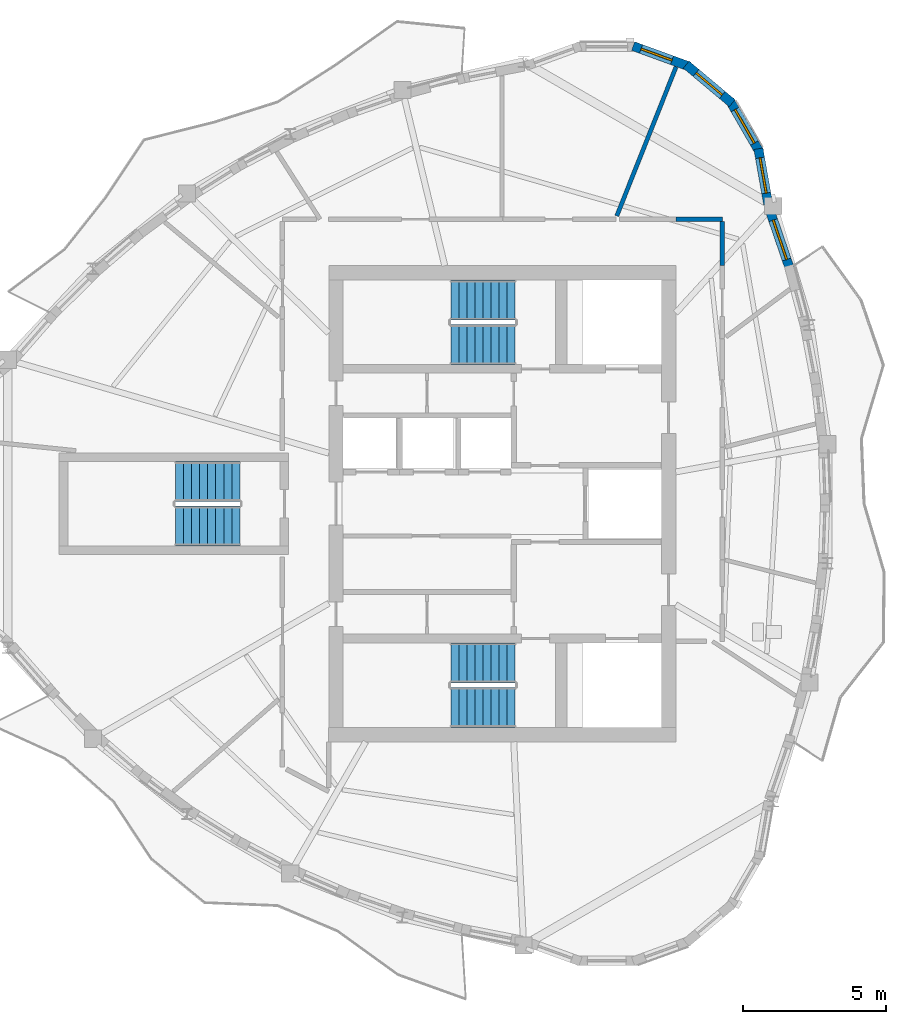
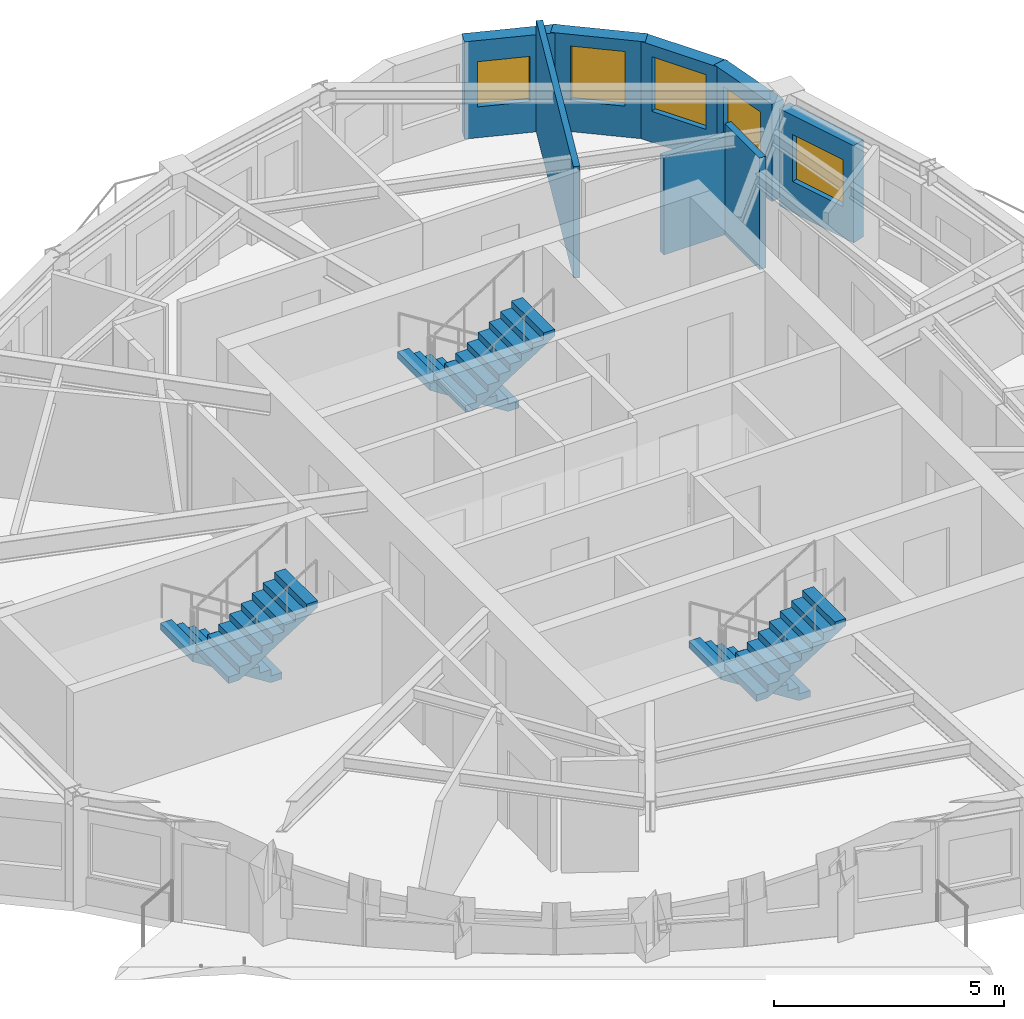
# One storey, part 7 of 11: 8 walls, 6 stair flights, 5 windows, 5 openings, 3 elements without a shape of their own.
"""IFC4 building model written with IfcOpenShell, lengths in metres."""

from ifc_helpers import new_model, si_unit, direction, frame, frame_2d, origin, place, context, subcontext, project, spatial, polyline, rectangle, outline, extrude, source, transform, mapped, material, layer, layer_set, type_object, element, fill, aggregate, save


model = new_model("IFC4")

# Units and contexts
model_context = context("Model", 3, precision=1e-05, world=origin(), true_north=direction((0.0, 1.0)))
body_context = subcontext(model_context, "Body", "Model", "MODEL_VIEW")
ifc_project = project(units=[si_unit("LENGTHUNIT", "METRE"), si_unit("AREAUNIT", "SQUARE_METRE"), si_unit("VOLUMEUNIT", "CUBIC_METRE"), si_unit("PLANEANGLEUNIT", "RADIAN"), si_unit("MASSUNIT", "GRAM", prefix="KILO")], contexts=[model_context])

# Site, building, storey
site_placement = place(None, origin())
site = spatial("IfcSite", under=ifc_project, at=site_placement, CompositionType="ELEMENT")
building_placement = place(site_placement, origin())
building = spatial("IfcBuilding", under=site, at=building_placement, Name="Qafzar Sky-Pleat Residences", CompositionType="ELEMENT")
storey_placement = place(building_placement, frame((0.0, 0.0, 234.0)))
storey = spatial("IfcBuildingStorey", under=building, at=storey_placement, Name="L70", CompositionType="ELEMENT", Elevation=234.0)

# Walls
ifc_material_1 = material(Name="Acoustic gypsum plasterboard partition", Category="gypsum")
ifc_layer_1 = layer(ifc_material_1, 0.159912109375)
ifc_layer_set_1 = layer_set([ifc_layer_1], Name="Acoustic gypsum plasterboard partition")
wall_type_1 = type_object("IfcWallType", Name="PART-COR-160", PredefinedType="PARTITIONING", material=ifc_layer_set_1)
wall_1_placement = place(storey_placement, frame((36.4150390625, 35.919921875, 0.0), z_axis=(0.0, 0.0, 1.0), x_axis=(1.0, 0.0, 0.0)))
element("IfcWall", 1, at=wall_1_placement, inside=storey, type_object=wall_type_1, Name="L70 Partition Wall PART-L70-PW-024", PredefinedType="PARTITIONING", context=body_context, shape_type="SweptSolid", body=[
    extrude(rectangle(XDim=1.60498046875, YDim=0.159912109375, at=frame_2d((0.802490234375, 0.0))), origin(), (0.0, 0.0, 1.0), 2.597900390625),
])
wall_2_placement = place(storey_placement, frame((38.02001953125, 34.31494140625, 0.0), z_axis=(0.0, 0.0, 1.0), x_axis=(0.0, 1.0, 0.0)))
element("IfcWall", 2, at=wall_2_placement, inside=storey, type_object=wall_type_1, Name="L70 Partition Wall PART-L70-PW-025", PredefinedType="PARTITIONING", context=body_context, shape_type="SweptSolid", body=[
    extrude(rectangle(XDim=1.51708984375, YDim=0.159912109375, at=frame_2d((0.758544921875, 0.0))), origin(), (0.0, 0.0, 1.0), 2.9599609375),
])
ifc_layer_2 = layer(ifc_material_1, 0.14501953125)
ifc_layer_set_2 = layer_set([ifc_layer_2], Name="Acoustic gypsum plasterboard partition")
wall_type_2 = type_object("IfcWallType", Name="PART-UNIT-145", PredefinedType="PARTITIONING", material=ifc_layer_set_2)
wall_3_placement = place(storey_placement, frame((34.342529296875, 36.0341796875, 0.0), z_axis=(0.0, 0.0, 1.0), x_axis=(0.369712016487, 0.92914639582, 0.0)))
element("IfcWall", 3, at=wall_3_placement, inside=storey, type_object=wall_type_2, Name="L70 Partition Wall PART-L70-PW-011", PredefinedType="PARTITIONING", context=body_context, shape_type="SweptSolid", body=[
    extrude(rectangle(XDim=5.59375, YDim=0.14501953125, at=frame_2d((2.796875, 0.0))), origin(), (0.0, 0.0, 1.0), 2.9599609375),
])

# Wall, opening, window
ifc_material_2 = material(Name="Precast concrete C40/50 with honed Riyadh limestone", Category="concrete")
ifc_layer_3 = layer(ifc_material_2, 0.320068359375)
ifc_layer_set_3 = layer_set([ifc_layer_3], Name="Precast concrete C40/50 with honed Riyadh limestone")
wall_type_3 = type_object("IfcWallType", Name="WALL-EXT-320", PredefinedType="SOLIDWALL", material=ifc_layer_set_3)
wall_4_placement = place(storey_placement, frame((40.3662109375, 34.21923828125, 0.0), z_axis=(0.0, 0.0, 1.0), x_axis=(-0.32370378462, 0.946158475004, 0.0)))
wall_4 = element("IfcWall", 4, at=wall_4_placement, inside=storey, type_object=wall_type_3, Name="L70 Limestone Facade Wall 32", PredefinedType="SOLIDWALL", context=body_context, shape_type="SweptSolid", body=[
    extrude(rectangle(XDim=2.142822265625, YDim=0.320068359375, at=frame_2d((1.0712890625, 0.0))), origin(), (0.0, 0.0, 1.0), 2.580078125),
])
opening_1_placement = place(wall_4_placement, frame((0.311279296875, 0.0, 0.820068359375)))
opening_1 = element("IfcOpeningElement", 5, at=opening_1_placement, cuts=wall_4, Name="Opening WN-15", PredefinedType="OPENING", context=body_context, shape_type="SweptSolid", body=[
    extrude(rectangle(XDim=1.449951171875, YDim=1.25, at=frame_2d((0.72509765625, 0.625))), frame((0.0, 0.169921875, 0.0), z_axis=(0.0, -1.0, 0.0), x_axis=(1.0, 0.0, 0.0)), (0.0, 0.0, 1.0), 0.340087890625),
])
ifc_material_3 = material(Name="Solar-control low-E glass in bronze aluminium frame", Category="glass")
window_type_1 = type_object("IfcWindowType", Name="WIN-15", PartitioningType="SINGLE_PANEL", PredefinedType="WINDOW", material=ifc_material_3)
shared_shape_1 = source(origin(), body_context, "Body", "SweptSolid", [
    extrude(rectangle(XDim=1.449951171875, YDim=1.25, at=frame_2d((0.72509765625, 0.625))), frame((0.0, 0.030029296875, 0.0), z_axis=(0.0, -1.0, 0.0), x_axis=(1.0, 0.0, 0.0)), (0.0, 0.0, 1.0), 0.06005859375),
])
window_1_placement = place(opening_1_placement, origin())
window_1 = element("IfcWindow", 6, at=window_1_placement, inside=storey, type_object=window_type_1, Name="L70 Punched Facade Window 32", OverallHeight=1.25, OverallWidth=1.449951171875, PartitioningType="SINGLE_PANEL", PredefinedType="WINDOW", context=body_context, shape_type="MappedRepresentation", body=[
    mapped(shared_shape_1, transform((0.0, 0.0, 0.0), x_axis=(1.0, 0.0, 0.0), y_axis=(0.0, 1.0, 0.0), z_axis=(0.0, 0.0, 1.0), scale=1.0)),
])
fill(opening_1, window_1)

wall_5_placement = place(storey_placement, frame((39.621826171875, 36.4443359375, 0.0), z_axis=(0.0, 0.0, 1.0), x_axis=(-0.173671780312, 0.984803590937, 0.0)))
wall_5 = element("IfcWall", 7, at=wall_5_placement, inside=storey, type_object=wall_type_3, Name="L70 Limestone Facade Wall 33", PredefinedType="SOLIDWALL", context=body_context, shape_type="SweptSolid", body=[
    extrude(rectangle(XDim=1.96240234375, YDim=0.320068359375, at=frame_2d((0.981201171875, 0.0))), origin(), (0.0, 0.0, 1.0), 2.580078125),
])
opening_2_placement = place(wall_5_placement, frame((0.39111328125, 0.0, 0.820068359375)))
opening_2 = element("IfcOpeningElement", 8, at=opening_2_placement, cuts=wall_5, Name="Opening WN-11", PredefinedType="OPENING", context=body_context, shape_type="SweptSolid", body=[
    extrude(rectangle(XDim=1.25, YDim=1.35009765625, at=frame_2d((0.625, 0.675048828125))), frame((0.0, 0.169921875, 0.0), z_axis=(0.0, -1.0, 0.0), x_axis=(1.0, 0.0, 0.0)), (0.0, 0.0, 1.0), 0.340087890625),
])
window_type_2 = type_object("IfcWindowType", Name="WIN-11", PartitioningType="SINGLE_PANEL", PredefinedType="WINDOW", material=ifc_material_3)
shared_shape_2 = source(origin(), body_context, "Body", "SweptSolid", [
    extrude(rectangle(XDim=1.25, YDim=1.35009765625, at=frame_2d((0.625, 0.675048828125))), frame((0.0, 0.030029296875, 0.0), z_axis=(0.0, -1.0, 0.0), x_axis=(1.0, 0.0, 0.0)), (0.0, 0.0, 1.0), 0.06005859375),
])
window_2_placement = place(opening_2_placement, origin())
window_2 = element("IfcWindow", 9, at=window_2_placement, inside=storey, type_object=window_type_2, Name="L70 Punched Facade Window 33", OverallHeight=1.35009765625, OverallWidth=1.25, PartitioningType="SINGLE_PANEL", PredefinedType="WINDOW", context=body_context, shape_type="MappedRepresentation", body=[
    mapped(shared_shape_2, transform((0.0, 0.0, 0.0), x_axis=(1.0, 0.0, 0.0), y_axis=(0.0, 1.0, 0.0), z_axis=(0.0, 0.0, 1.0), scale=1.0)),
])
fill(opening_2, window_2)

wall_6_placement = place(storey_placement, frame((39.32568359375, 38.25439453125, 0.0), z_axis=(0.0, 0.0, 1.0), x_axis=(-0.499995423472, 0.866028046028, 0.0)))
wall_6 = element("IfcWall", 10, at=wall_6_placement, inside=storey, type_object=wall_type_3, Name="L70 Limestone Facade Wall 34", PredefinedType="SOLIDWALL", context=body_context, shape_type="SweptSolid", body=[
    extrude(rectangle(XDim=2.09033203125, YDim=0.320068359375, at=frame_2d((1.045166015625, 0.0))), origin(), (0.0, 0.0, 1.0), 2.580078125),
])
opening_3_placement = place(wall_6_placement, frame((0.3701171875, 0.0, 0.820068359375)))
opening_3 = element("IfcOpeningElement", 11, at=opening_3_placement, cuts=wall_6, Name="Opening WN-04", PredefinedType="OPENING", context=body_context, shape_type="SweptSolid", body=[
    extrude(rectangle(XDim=1.35009765625, YDim=1.449951171875, at=frame_2d((0.675048828125, 0.72509765625))), frame((0.0, 0.169921875, 0.0), z_axis=(0.0, -1.0, 0.0), x_axis=(1.0, 0.0, 0.0)), (0.0, 0.0, 1.0), 0.340087890625),
])
window_type_3 = type_object("IfcWindowType", Name="WIN-04", PartitioningType="SINGLE_PANEL", PredefinedType="WINDOW", material=ifc_material_3)
shared_shape_3 = source(origin(), body_context, "Body", "SweptSolid", [
    extrude(rectangle(XDim=1.35009765625, YDim=1.449951171875, at=frame_2d((0.675048828125, 0.72509765625))), frame((0.0, 0.030029296875, 0.0), z_axis=(0.0, -1.0, 0.0), x_axis=(1.0, 0.0, 0.0)), (0.0, 0.0, 1.0), 0.06005859375),
])
window_3_placement = place(opening_3_placement, origin())
window_3 = element("IfcWindow", 12, at=window_3_placement, inside=storey, type_object=window_type_3, Name="L70 Punched Facade Window 34", OverallHeight=1.449951171875, OverallWidth=1.35009765625, PartitioningType="SINGLE_PANEL", PredefinedType="WINDOW", context=body_context, shape_type="MappedRepresentation", body=[
    mapped(shared_shape_3, transform((0.0, 0.0, 0.0), x_axis=(1.0, 0.0, 0.0), y_axis=(0.0, 1.0, 0.0), z_axis=(0.0, 0.0, 1.0), scale=1.0)),
])
fill(opening_3, window_3)

wall_7_placement = place(storey_placement, frame((38.364501953125, 39.96484375, 0.0), z_axis=(0.0, 0.0, 1.0), x_axis=(-0.766072824549, 0.642753784499, 0.0)))
wall_7 = element("IfcWall", 13, at=wall_7_placement, inside=storey, type_object=wall_type_3, Name="L70 Limestone Facade Wall 35", PredefinedType="SOLIDWALL", context=body_context, shape_type="SweptSolid", body=[
    extrude(rectangle(XDim=2.090576171875, YDim=0.320068359375, at=frame_2d((1.04541015625, 0.0))), origin(), (0.0, 0.0, 1.0), 2.580078125),
])
opening_4_placement = place(wall_7_placement, frame((0.4453125, 0.0, 0.820068359375)))
opening_4 = element("IfcOpeningElement", 14, at=opening_4_placement, cuts=wall_7, Name="Opening WN-05", PredefinedType="OPENING", context=body_context, shape_type="SweptSolid", body=[
    extrude(rectangle(XDim=1.199951171875, YDim=1.449951171875, at=frame_2d((0.60009765625, 0.72509765625))), frame((0.0, 0.169921875, 0.0), z_axis=(0.0, -1.0, 0.0), x_axis=(1.0, 0.0, 0.0)), (0.0, 0.0, 1.0), 0.340087890625),
])
window_type_4 = type_object("IfcWindowType", Name="WIN-05", PartitioningType="SINGLE_PANEL", PredefinedType="WINDOW", material=ifc_material_3)
shared_shape_4 = source(origin(), body_context, "Body", "SweptSolid", [
    extrude(rectangle(XDim=1.199951171875, YDim=1.449951171875, at=frame_2d((0.60009765625, 0.72509765625))), frame((0.0, 0.030029296875, 0.0), z_axis=(0.0, -1.0, 0.0), x_axis=(1.0, 0.0, 0.0)), (0.0, 0.0, 1.0), 0.06005859375),
])
window_4_placement = place(opening_4_placement, origin())
window_4 = element("IfcWindow", 15, at=window_4_placement, inside=storey, type_object=window_type_4, Name="L70 Punched Facade Window 35", OverallHeight=1.449951171875, OverallWidth=1.199951171875, PartitioningType="SINGLE_PANEL", PredefinedType="WINDOW", context=body_context, shape_type="MappedRepresentation", body=[
    mapped(shared_shape_4, transform((0.0, 0.0, 0.0), x_axis=(1.0, 0.0, 0.0), y_axis=(0.0, 1.0, 0.0), z_axis=(0.0, 0.0, 1.0), scale=1.0)),
])
fill(opening_4, window_4)

wall_8_placement = place(storey_placement, frame((36.8759765625, 41.243408203125, 0.0), z_axis=(0.0, 0.0, 1.0), x_axis=(-0.93973543134, 0.341902499383, 0.0)))
wall_8 = element("IfcWall", 16, at=wall_8_placement, inside=storey, type_object=wall_type_3, Name="L70 Limestone Facade Wall 36", PredefinedType="SOLIDWALL", context=body_context, shape_type="SweptSolid", body=[
    extrude(rectangle(XDim=2.090087890625, YDim=0.320068359375, at=frame_2d((1.044921875, 0.0))), origin(), (0.0, 0.0, 1.0), 2.580078125),
])
opening_5_placement = place(wall_8_placement, frame((0.646484375, 0.0, 0.820068359375)))
opening_5 = element("IfcOpeningElement", 17, at=opening_5_placement, cuts=wall_8, Name="Opening WN-16", PredefinedType="OPENING", context=body_context, shape_type="SweptSolid", body=[
    extrude(rectangle(XDim=1.14990234375, YDim=1.199951171875, at=frame_2d((0.574951171875, 0.60009765625))), frame((0.0, 0.169921875, 0.0), z_axis=(0.0, -1.0, 0.0), x_axis=(1.0, 0.0, 0.0)), (0.0, 0.0, 1.0), 0.340087890625),
])
window_type_5 = type_object("IfcWindowType", Name="WIN-16", PartitioningType="SINGLE_PANEL", PredefinedType="WINDOW", material=ifc_material_3)
shared_shape_5 = source(origin(), body_context, "Body", "SweptSolid", [
    extrude(rectangle(XDim=1.14990234375, YDim=1.199951171875, at=frame_2d((0.574951171875, 0.60009765625))), frame((0.0, 0.030029296875, 0.0), z_axis=(0.0, -1.0, 0.0), x_axis=(1.0, 0.0, 0.0)), (0.0, 0.0, 1.0), 0.06005859375),
])
window_5_placement = place(opening_5_placement, origin())
window_5 = element("IfcWindow", 18, at=window_5_placement, inside=storey, type_object=window_type_5, Name="L70 Punched Facade Window 36-2", OverallHeight=1.199951171875, OverallWidth=1.14990234375, PartitioningType="SINGLE_PANEL", PredefinedType="WINDOW", context=body_context, shape_type="MappedRepresentation", body=[
    mapped(shared_shape_5, transform((0.0, 0.0, 0.0), x_axis=(1.0, 0.0, 0.0), y_axis=(0.0, 1.0, 0.0), z_axis=(0.0, 0.0, 1.0), scale=1.0)),
])
fill(opening_5, window_5)

# Stair, stair flights
ifc_material_4 = material(Name="Concrete C40/50", Category="concrete")
stair_type = type_object("IfcStairType", Name="STAIR-H320", PredefinedType="HALF_TURN_STAIR", material=ifc_material_4)
stair_1_placement = place(storey_placement, origin())
stair_1 = element("IfcStair", 19, at=stair_1_placement, inside=storey, type_object=stair_type, Name="L70 Protected Exit Stair ST1", PredefinedType="HALF_TURN_STAIR")
stair_flight_type = type_object("IfcStairFlightType", Name="FLIGHT-H320", PredefinedType="STRAIGHT", material=ifc_material_4)
shared_shape_6 = source(origin(), body_context, "Body", "SweptSolid", [
    extrude(outline(polyline([(0.0, 0.0), (0.0, 0.177734375), (0.280029296875, 0.177734375), (0.280029296875, 0.35546875), (0.56005859375, 0.35546875), (0.56005859375, 0.533447265625), (0.840087890625, 0.533447265625), (0.840087890625, 0.711181640625), (1.1201171875, 0.711181640625), (1.1201171875, 0.888916015625), (1.39990234375, 0.888916015625), (1.39990234375, 1.066650390625), (1.679931640625, 1.066650390625), (1.679931640625, 1.244384765625), (1.9599609375, 1.244384765625), (1.9599609375, 1.422119140625), (2.239990234375, 1.422119140625), (2.239990234375, 1.60009765625), (2.239990234375, 1.24462890625), (0.27978515625, 0.0), (0.0, 0.0)])), frame((0.0, 0.699951171875, 0.0), z_axis=(0.0, -1.0, 0.0), x_axis=(1.0, 0.0, 0.0)), (0.0, 0.0, 1.0), 1.39990234375),
])
stair_flight_1_placement = place(storey_placement, frame((30.800048828125, 20.449951171875, 0.0), z_axis=(0.0, 0.0, 1.0), x_axis=(-1.0, 0.0, 0.0)))
stair_flight_1 = element("IfcStairFlight", 20, at=stair_flight_1_placement, type_object=stair_flight_type, Name="ST1 flight 1", NumberOfRisers=9, NumberOfTreads=8, PredefinedType="STRAIGHT", RiserHeight=0.177777778, TreadLength=0.28, context=body_context, shape_type="MappedRepresentation", body=[
    mapped(shared_shape_6, transform((0.0, 0.0, 0.0), x_axis=(1.0, 0.0, 0.0), y_axis=(0.0, 1.0, 0.0), z_axis=(0.0, 0.0, 1.0), scale=1.0)),
])
stair_flight_2_placement = place(storey_placement, frame((28.56005859375, 18.89990234375, 1.60009765625), z_axis=(0.0, 0.0, 1.0), x_axis=(1.0, 0.0, 0.0)))
stair_flight_2 = element("IfcStairFlight", 21, at=stair_flight_2_placement, type_object=stair_flight_type, Name="ST1 flight 2", NumberOfRisers=9, NumberOfTreads=8, PredefinedType="STRAIGHT", RiserHeight=0.177777778, TreadLength=0.28, context=body_context, shape_type="MappedRepresentation", body=[
    mapped(shared_shape_6, transform((0.0, 0.0, 0.0), x_axis=(1.0, 0.0, 0.0), y_axis=(0.0, 1.0, 0.0), z_axis=(0.0, 0.0, 1.0), scale=1.0)),
])
aggregate(stair_1, [stair_flight_1, stair_flight_2])

stair_2_placement = place(storey_placement, origin())
stair_2 = element("IfcStair", 22, at=stair_2_placement, inside=storey, type_object=stair_type, Name="L70 Protected Exit Stair ST2", PredefinedType="HALF_TURN_STAIR")
stair_flight_3_placement = place(storey_placement, frame((30.800048828125, 33.10009765625, 0.0), z_axis=(0.0, 0.0, 1.0), x_axis=(-1.0, 0.0, 0.0)))
stair_flight_3 = element("IfcStairFlight", 23, at=stair_flight_3_placement, type_object=stair_flight_type, Name="ST2 flight 1", NumberOfRisers=9, NumberOfTreads=8, PredefinedType="STRAIGHT", RiserHeight=0.177777778, TreadLength=0.28, context=body_context, shape_type="MappedRepresentation", body=[
    mapped(shared_shape_6, transform((0.0, 0.0, 0.0), x_axis=(1.0, 0.0, 0.0), y_axis=(0.0, 1.0, 0.0), z_axis=(0.0, 0.0, 1.0), scale=1.0)),
])
stair_flight_4_placement = place(storey_placement, frame((28.56005859375, 31.550048828125, 1.60009765625), z_axis=(0.0, 0.0, 1.0), x_axis=(1.0, 0.0, 0.0)))
stair_flight_4 = element("IfcStairFlight", 24, at=stair_flight_4_placement, type_object=stair_flight_type, Name="ST2 flight 2", NumberOfRisers=9, NumberOfTreads=8, PredefinedType="STRAIGHT", RiserHeight=0.177777778, TreadLength=0.28, context=body_context, shape_type="MappedRepresentation", body=[
    mapped(shared_shape_6, transform((0.0, 0.0, 0.0), x_axis=(1.0, 0.0, 0.0), y_axis=(0.0, 1.0, 0.0), z_axis=(0.0, 0.0, 1.0), scale=1.0)),
])
aggregate(stair_2, [stair_flight_3, stair_flight_4])

stair_3_placement = place(storey_placement, origin())
stair_3 = element("IfcStair", 25, at=stair_3_placement, inside=storey, type_object=stair_type, Name="L70 Protected Exit Stair ST3", PredefinedType="HALF_TURN_STAIR")
stair_flight_5_placement = place(storey_placement, frame((21.199951171875, 26.77490234375, 0.0), z_axis=(0.0, 0.0, 1.0), x_axis=(-1.0, 0.0, 0.0)))
stair_flight_5 = element("IfcStairFlight", 26, at=stair_flight_5_placement, type_object=stair_flight_type, Name="ST3 flight 1", NumberOfRisers=9, NumberOfTreads=8, PredefinedType="STRAIGHT", RiserHeight=0.177777778, TreadLength=0.28, context=body_context, shape_type="MappedRepresentation", body=[
    mapped(shared_shape_6, transform((0.0, 0.0, 0.0), x_axis=(1.0, 0.0, 0.0), y_axis=(0.0, 1.0, 0.0), z_axis=(0.0, 0.0, 1.0), scale=1.0)),
])
stair_flight_6_placement = place(storey_placement, frame((18.9599609375, 25.22509765625, 1.60009765625), z_axis=(0.0, 0.0, 1.0), x_axis=(1.0, 0.0, 0.0)))
stair_flight_6 = element("IfcStairFlight", 27, at=stair_flight_6_placement, type_object=stair_flight_type, Name="ST3 flight 2", NumberOfRisers=9, NumberOfTreads=8, PredefinedType="STRAIGHT", RiserHeight=0.177777778, TreadLength=0.28, context=body_context, shape_type="MappedRepresentation", body=[
    mapped(shared_shape_6, transform((0.0, 0.0, 0.0), x_axis=(1.0, 0.0, 0.0), y_axis=(0.0, 1.0, 0.0), z_axis=(0.0, 0.0, 1.0), scale=1.0)),
])
aggregate(stair_3, [stair_flight_5, stair_flight_6])

save(model, "model.ifc")
